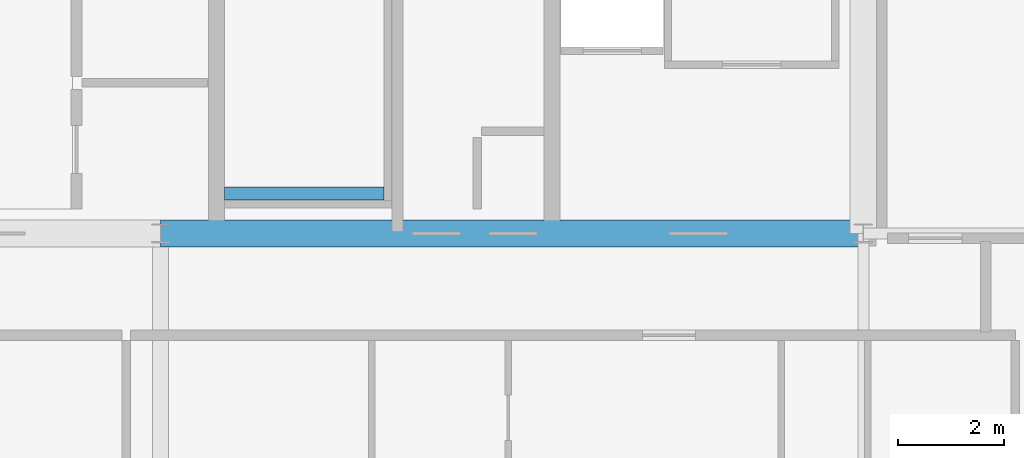
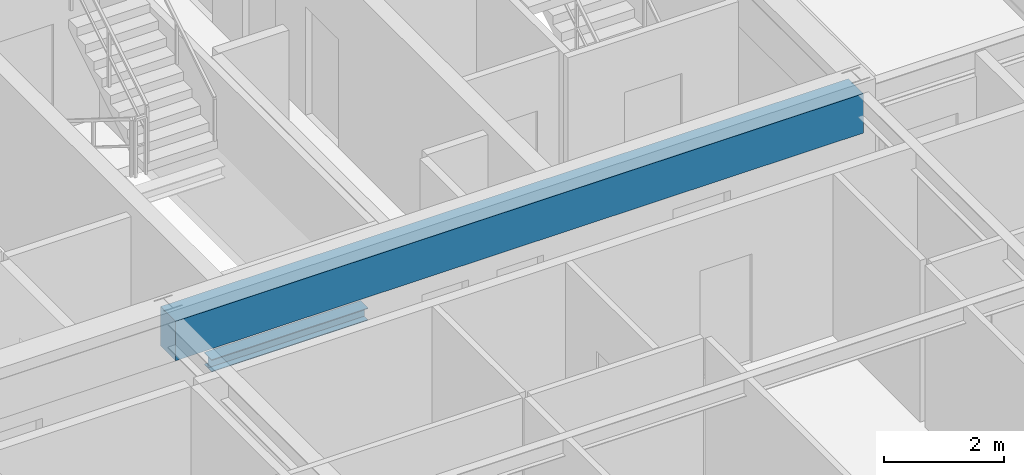
# One storey, part 10 of 35: 2 beams.
"""IFC4 building model written with IfcOpenShell, lengths in metres."""

from ifc_helpers import new_model, si_unit, direction, frame, origin, origin_2d, place, context, subcontext, project, spatial, rectangle, i_section, extrude, source, transform, mapped, material, material_profile, profile_set, type_object, element, save


model = new_model("IFC4")

# Units and contexts
model_context = context("Model", 3, precision=1e-05, world=origin(), true_north=direction((0.0, 1.0)))
body_context = subcontext(model_context, "Body", "Model", "MODEL_VIEW")
ifc_project = project(units=[si_unit("LENGTHUNIT", "METRE"), si_unit("AREAUNIT", "SQUARE_METRE"), si_unit("VOLUMEUNIT", "CUBIC_METRE"), si_unit("PLANEANGLEUNIT", "RADIAN"), si_unit("MASSUNIT", "GRAM", prefix="KILO"), si_unit("THERMODYNAMICTEMPERATUREUNIT", "KELVIN"), si_unit("POWERUNIT", "WATT")], contexts=[model_context])

# Site, building, storey
site_placement = place(None, origin())
site = spatial("IfcSite", under=ifc_project, at=site_placement, CompositionType="ELEMENT")
building_placement = place(site_placement, origin())
building = spatial("IfcBuilding", under=site, at=building_placement, Name="Yuzanri Waterfront Tower", CompositionType="ELEMENT")
storey_placement = place(building_placement, frame((0.0, 0.0, 296.10009765625)))
storey = spatial("IfcBuildingStorey", under=building, at=storey_placement, Name="L79", CompositionType="ELEMENT", Elevation=296.10009765625)

# Beams
ifc_material_1 = material(Name="Concrete C50", Category="concrete")
ifc_material_profile_1 = material_profile(ifc_material_1, rectangle(XDim=0.5, YDim=0.800048828125, at=origin_2d()), Name="RC 500x800")
ifc_profile_set_1 = profile_set([ifc_material_profile_1], Name="Concrete C50")
beam_type_1 = type_object("IfcBeamType", Name="Core Coupling Lintel Concrete C50 500x800", PredefinedType="LINTEL", material=ifc_profile_set_1)
shared_shape_1 = source(origin(), body_context, "Body", "SweptSolid", [
    extrude(rectangle(XDim=0.5, YDim=0.800048828125, at=origin_2d()), origin(), (0.0, 0.0, 1.0), 13.199951171875),
])
beam_1_placement = place(storey_placement, frame((37.0, 19.39990234375, 2.8798828125), z_axis=(1.0, 0.0, 0.0), x_axis=(0.0, 1.0, 0.0)))
element("IfcBeam", 1, at=beam_1_placement, inside=storey, type_object=beam_type_1, Name="L79 Core Tie Beam CS2", PredefinedType="LINTEL", context=body_context, shape_type="MappedRepresentation", body=[
    mapped(shared_shape_1, transform((0.0, 0.0, 0.0), scale=1.0)),
])
ifc_material_2 = material(Name="Steel Q355B", Category="steel")
ifc_material_profile_2 = material_profile(ifc_material_2, i_section(OverallWidth=0.25, OverallDepth=0.25, WebThickness=0.009033203125, FlangeThickness=0.013916015625, at=origin_2d()), Name="HW 250x250x9x14")
ifc_profile_set_2 = profile_set([ifc_material_profile_2], Name="Steel Q355B")
beam_type_2 = type_object("IfcBeamType", Name="Stair Landing Support Beam Q355B HW 250x250", PredefinedType="BEAM", material=ifc_profile_set_2)
shared_shape_2 = source(origin(), body_context, "Body", "SweptSolid", [
    extrude(i_section(OverallWidth=0.25, OverallDepth=0.25, WebThickness=0.009033203125, FlangeThickness=0.013916015625, at=origin_2d()), origin(), (0.0, 0.0, 1.0), 3.0),
])
beam_2_placement = place(storey_placement, frame((38.199951171875, 20.14990234375, 1.4248046875), z_axis=(1.0, 0.0, 0.0), x_axis=(0.0, 1.0, 0.0)))
element("IfcBeam", 2, at=beam_2_placement, inside=storey, type_object=beam_type_2, Name="L79 Stair Landing Support Beam ST-03-L79-L1-1", PredefinedType="BEAM", context=body_context, shape_type="MappedRepresentation", body=[
    mapped(shared_shape_2, transform((0.0, 0.0, 0.0), scale=1.0)),
])

save(model, "model.ifc")
